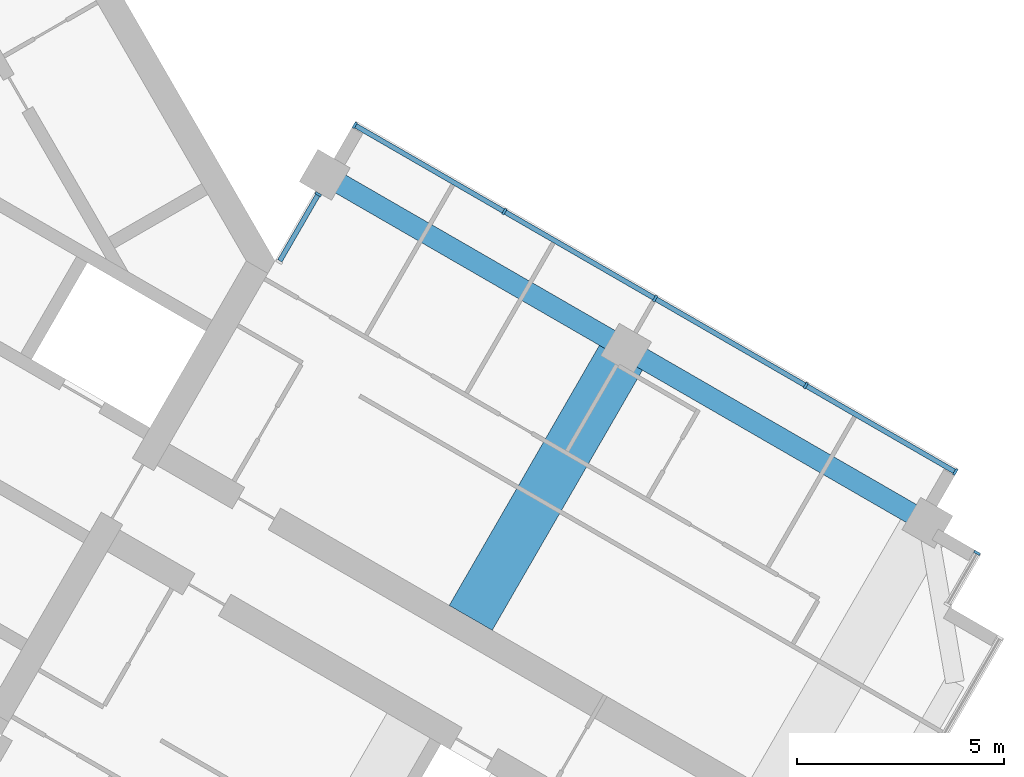
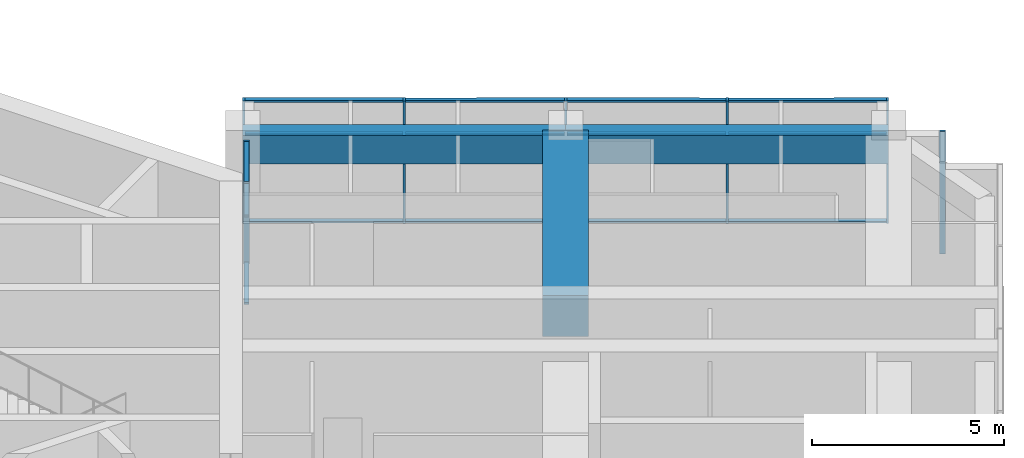
# One storey, part 5 of 14: 22 members, 3 beams, 3 elements without a shape of their own.
"""IFC4 building model written with IfcOpenShell, lengths in metres."""

from ifc_helpers import new_model, si_unit, direction, frame, origin, origin_2d, place, context, subcontext, project, spatial, rectangle, extrude, material, material_profile, profile_set, type_object, element, aggregate, save


model = new_model("IFC4")

# Units and contexts
model_context = context("Model", 3, precision=1e-05, world=origin(), true_north=direction((0.0, 1.0)))
body_context = subcontext(model_context, "Body", "Model", "MODEL_VIEW")
ifc_project = project(units=[si_unit("LENGTHUNIT", "METRE"), si_unit("AREAUNIT", "SQUARE_METRE"), si_unit("VOLUMEUNIT", "CUBIC_METRE"), si_unit("PLANEANGLEUNIT", "RADIAN"), si_unit("MASSUNIT", "GRAM", prefix="KILO")], contexts=[model_context])

# Site, building, storey
site_placement = place(None, origin())
site = spatial("IfcSite", under=ifc_project, at=site_placement, CompositionType="ELEMENT")
building_placement = place(site_placement, origin())
building = spatial("IfcBuilding", under=site, at=building_placement, Name="Impinga Residences", CompositionType="ELEMENT")
storey_placement = place(building_placement, frame((0.0, 0.0, 291.550048828125)))
storey = spatial("IfcBuildingStorey", under=building, at=storey_placement, Name="L73", CompositionType="ELEMENT", Elevation=291.550048828125)

# Beam
ifc_material_1 = material(Name="Concrete C60/75", Category="concrete")
ifc_material_profile_1 = material_profile(ifc_material_1, rectangle(XDim=1.199951171875, YDim=1.300048828125, at=origin_2d()), Name="RC 1200x1300")
ifc_profile_set_1 = profile_set([ifc_material_profile_1], Name="Concrete C60/75")
beam_type_1 = type_object("IfcBeamType", Name="CG2 1200x1300 cross girder on a wing bay line", PredefinedType="BEAM", material=ifc_profile_set_1)
beam_placement = place(storey_placement, frame((17.924560546875, -8.61669921875, 3.25), z_axis=(0.500004234368, 0.866022959057, 0.0), x_axis=(-0.866022959057, 0.500004234368, 0.0)))
element("IfcBeam", 1, at=beam_placement, inside=storey, type_object=beam_type_1, Name="Beam CG2 E2 EC/EA level L74", PredefinedType="BEAM", context=body_context, shape_type="SweptSolid", body=[
    extrude(rectangle(XDim=1.199951171875, YDim=1.300048828125, at=origin_2d()), origin(), (0.0, 0.0, 1.0), 7.5),
])

# Curtain wall, member
ifc_material_2 = material(Name="Aluminium stick curtain wall", Category="aluminium")
curtain_wall_type = type_object("IfcCurtainWallType", Name="CW3 penthouse curtain wall", PredefinedType="USERDEFINED", material=ifc_material_2)
curtain_wall_1_placement = place(storey_placement, origin())
curtain_wall_1 = element("IfcCurtainWall", 2, at=curtain_wall_1_placement, inside=storey, type_object=curtain_wall_type, Name="Curtain wall CW3 L73", ObjectType="STICK CURTAIN WALL", PredefinedType="USERDEFINED")
ifc_material_3 = material(Name="Aluminium mullion", Category="aluminium")
ifc_material_profile_2 = material_profile(ifc_material_3, rectangle(XDim=0.06005859375, YDim=0.159912109375, at=origin_2d()), Name="60x160 mullion")
ifc_profile_set_2 = profile_set([ifc_material_profile_2], Name="Aluminium mullion")
member_type_1 = type_object("IfcMemberType", Name="CW3-M mullion 60x160", PredefinedType="MULLION", material=ifc_profile_set_2)
member_1_placement = place(storey_placement, frame((30.146728515625, -7.047607421875, 0.0), z_axis=(0.0, 0.0, 1.0), x_axis=(-0.500000030502, -0.866025386174, 0.0)))
member_1 = element("IfcMember", 3, at=member_1_placement, type_object=member_type_1, Name="CW3 mullion 1", PredefinedType="MULLION", context=body_context, shape_type="SweptSolid", body=[
    extrude(rectangle(XDim=0.06005859375, YDim=0.159912109375, at=origin_2d()), origin(), (0.0, 0.0, 1.0), 3.89990234375),
])
aggregate(curtain_wall_1, [member_1])

curtain_wall_2_placement = place(storey_placement, origin())
curtain_wall_2 = element("IfcCurtainWall", 4, at=curtain_wall_2_placement, inside=storey, type_object=curtain_wall_type, Name="Curtain wall CW3 L73", ObjectType="STICK CURTAIN WALL", PredefinedType="USERDEFINED")
member_2_placement = place(storey_placement, frame((14.2451171875, 1.610107421875, 0.0), z_axis=(0.0, 0.0, 1.0), x_axis=(0.50000010257, 0.866025344565, 0.0)))
member_2 = element("IfcMember", 5, at=member_2_placement, type_object=member_type_1, Name="CW3 mullion 2", PredefinedType="MULLION", context=body_context, shape_type="SweptSolid", body=[
    extrude(rectangle(XDim=0.06005859375, YDim=0.159912109375, at=origin_2d()), origin(), (0.0, 0.0, 1.0), 3.89990234375),
])

# Curtain wall, members
curtain_wall_3_placement = place(storey_placement, origin())
curtain_wall_3 = element("IfcCurtainWall", 6, at=curtain_wall_3_placement, inside=storey, type_object=curtain_wall_type, Name="Curtain wall CW3 L73", ObjectType="STICK CURTAIN WALL", PredefinedType="USERDEFINED")
member_3_placement = place(storey_placement, frame((15.1259765625, 3.27587890625, 0.0), z_axis=(0.0, 0.0, 1.0), x_axis=(0.866025407005, -0.499999994423, 0.0)))
member_3 = element("IfcMember", 7, at=member_3_placement, type_object=member_type_1, Name="CW3 mullion 1", PredefinedType="MULLION", context=body_context, shape_type="SweptSolid", body=[
    extrude(rectangle(XDim=0.06005859375, YDim=0.159912109375, at=origin_2d()), origin(), (0.0, 0.0, 1.0), 3.89990234375),
])
member_4_placement = place(storey_placement, frame((18.7373046875, 1.19091796875, 0.0), z_axis=(0.0, 0.0, 1.0), x_axis=(0.866025407005, -0.499999994423, 0.0)))
member_4 = element("IfcMember", 8, at=member_4_placement, type_object=member_type_1, Name="CW3 mullion 2", PredefinedType="MULLION", context=body_context, shape_type="SweptSolid", body=[
    extrude(rectangle(XDim=0.06005859375, YDim=0.159912109375, at=origin_2d()), origin(), (0.0, 0.0, 1.0), 3.89990234375),
])
member_5_placement = place(storey_placement, frame((22.37451171875, -0.9091796875, 0.0), z_axis=(0.0, 0.0, 1.0), x_axis=(0.866025407005, -0.499999994423, 0.0)))
member_5 = element("IfcMember", 9, at=member_5_placement, type_object=member_type_1, Name="CW3 mullion 3", PredefinedType="MULLION", context=body_context, shape_type="SweptSolid", body=[
    extrude(rectangle(XDim=0.06005859375, YDim=0.159912109375, at=origin_2d()), origin(), (0.0, 0.0, 1.0), 3.89990234375),
])
member_6_placement = place(storey_placement, frame((26.011962890625, -3.009033203125, 0.0), z_axis=(0.0, 0.0, 1.0), x_axis=(0.866025407005, -0.499999994423, 0.0)))
member_6 = element("IfcMember", 10, at=member_6_placement, type_object=member_type_1, Name="CW3 mullion 4", PredefinedType="MULLION", context=body_context, shape_type="SweptSolid", body=[
    extrude(rectangle(XDim=0.06005859375, YDim=0.159912109375, at=origin_2d()), origin(), (0.0, 0.0, 1.0), 3.89990234375),
])
member_7_placement = place(storey_placement, frame((29.623291015625, -5.093994140625, 0.0), z_axis=(0.0, 0.0, 1.0), x_axis=(0.866025407005, -0.499999994423, 0.0)))
member_7 = element("IfcMember", 11, at=member_7_placement, type_object=member_type_1, Name="CW3 mullion 5", PredefinedType="MULLION", context=body_context, shape_type="SweptSolid", body=[
    extrude(rectangle(XDim=0.06005859375, YDim=0.159912109375, at=origin_2d()), origin(), (0.0, 0.0, 1.0), 3.89990234375),
])

# Member
ifc_material_4 = material(Name="Aluminium transom", Category="aluminium")
ifc_material_profile_3 = material_profile(ifc_material_4, rectangle(XDim=0.06005859375, YDim=0.1201171875, at=origin_2d()), Name="60x120 transom")
ifc_profile_set_3 = profile_set([ifc_material_profile_3], Name="Aluminium transom")
member_type_2 = type_object("IfcMemberType", Name="CW3-T transom 60x120", PredefinedType="USERDEFINED", material=ifc_profile_set_3)
member_8_placement = place(storey_placement, frame((13.316650390625, 0.001953125, 0.030029296875), z_axis=(0.500019332402, 0.866014241929, 0.0), x_axis=(0.0, 0.0, 1.0)))
member_8 = element("IfcMember", 12, at=member_8_placement, type_object=member_type_2, Name="CW3 transom 1.1", ObjectType="TRANSOM", PredefinedType="USERDEFINED", context=body_context, shape_type="SweptSolid", body=[
    extrude(rectangle(XDim=0.06005859375, YDim=0.1201171875, at=origin_2d()), origin(), (0.0, 0.0, 1.0), 1.8271484375),
])

member_9_placement = place(storey_placement, frame((13.316650390625, 0.001953125, 2.800048828125), z_axis=(0.500019332402, 0.866014241929, 0.0), x_axis=(0.0, 0.0, 1.0)))
member_9 = element("IfcMember", 13, at=member_9_placement, type_object=member_type_2, Name="CW3 transom 1.2", ObjectType="TRANSOM", PredefinedType="USERDEFINED", context=body_context, shape_type="SweptSolid", body=[
    extrude(rectangle(XDim=0.06005859375, YDim=0.1201171875, at=origin_2d()), origin(), (0.0, 0.0, 1.0), 1.8271484375),
])

member_10_placement = place(storey_placement, frame((13.316650390625, 0.001953125, 3.869873046875), z_axis=(0.500019332402, 0.866014241929, 0.0), x_axis=(0.0, 0.0, 1.0)))
member_10 = element("IfcMember", 14, at=member_10_placement, type_object=member_type_2, Name="CW3 transom 1.3", ObjectType="TRANSOM", PredefinedType="USERDEFINED", context=body_context, shape_type="SweptSolid", body=[
    extrude(rectangle(XDim=0.06005859375, YDim=0.1201171875, at=origin_2d()), origin(), (0.0, 0.0, 1.0), 1.8271484375),
])

aggregate(curtain_wall_2, [member_2, member_8, member_9, member_10])

member_11_placement = place(storey_placement, frame((15.15185546875, 3.260986328125, 0.030029296875), z_axis=(0.866019409031, -0.500010383074, 0.0), x_axis=(0.0, 0.0, 1.0)))
member_11 = element("IfcMember", 15, at=member_11_placement, type_object=member_type_2, Name="CW3 transom 1.1", ObjectType="TRANSOM", PredefinedType="USERDEFINED", context=body_context, shape_type="SweptSolid", body=[
    extrude(rectangle(XDim=0.06005859375, YDim=0.1201171875, at=origin_2d()), origin(), (0.0, 0.0, 1.0), 4.1103515625),
])

member_12_placement = place(storey_placement, frame((15.15185546875, 3.260986328125, 2.800048828125), z_axis=(0.866019409031, -0.500010383074, 0.0), x_axis=(0.0, 0.0, 1.0)))
member_12 = element("IfcMember", 16, at=member_12_placement, type_object=member_type_2, Name="CW3 transom 1.2", ObjectType="TRANSOM", PredefinedType="USERDEFINED", context=body_context, shape_type="SweptSolid", body=[
    extrude(rectangle(XDim=0.06005859375, YDim=0.1201171875, at=origin_2d()), origin(), (0.0, 0.0, 1.0), 4.1103515625),
])

member_13_placement = place(storey_placement, frame((15.15185546875, 3.260986328125, 3.869873046875), z_axis=(0.866019409031, -0.500010383074, 0.0), x_axis=(0.0, 0.0, 1.0)))
member_13 = element("IfcMember", 17, at=member_13_placement, type_object=member_type_2, Name="CW3 transom 1.3", ObjectType="TRANSOM", PredefinedType="USERDEFINED", context=body_context, shape_type="SweptSolid", body=[
    extrude(rectangle(XDim=0.06005859375, YDim=0.1201171875, at=origin_2d()), origin(), (0.0, 0.0, 1.0), 4.1103515625),
])

member_14_placement = place(storey_placement, frame((18.76318359375, 1.17578125, 0.030029296875), z_axis=(0.866050071143, -0.499957272447, 0.0), x_axis=(0.0, 0.0, 1.0)))
member_14 = element("IfcMember", 18, at=member_14_placement, type_object=member_type_2, Name="CW3 transom 2.1", ObjectType="TRANSOM", PredefinedType="USERDEFINED", context=body_context, shape_type="SweptSolid", body=[
    extrude(rectangle(XDim=0.06005859375, YDim=0.1201171875, at=origin_2d()), origin(), (0.0, 0.0, 1.0), 4.139892578125),
])

member_15_placement = place(storey_placement, frame((18.76318359375, 1.17578125, 2.800048828125), z_axis=(0.866050071143, -0.499957272447, 0.0), x_axis=(0.0, 0.0, 1.0)))
member_15 = element("IfcMember", 19, at=member_15_placement, type_object=member_type_2, Name="CW3 transom 2.2", ObjectType="TRANSOM", PredefinedType="USERDEFINED", context=body_context, shape_type="SweptSolid", body=[
    extrude(rectangle(XDim=0.06005859375, YDim=0.1201171875, at=origin_2d()), origin(), (0.0, 0.0, 1.0), 4.139892578125),
])

member_16_placement = place(storey_placement, frame((18.76318359375, 1.17578125, 3.869873046875), z_axis=(0.866050071143, -0.499957272447, 0.0), x_axis=(0.0, 0.0, 1.0)))
member_16 = element("IfcMember", 20, at=member_16_placement, type_object=member_type_2, Name="CW3 transom 2.3", ObjectType="TRANSOM", PredefinedType="USERDEFINED", context=body_context, shape_type="SweptSolid", body=[
    extrude(rectangle(XDim=0.06005859375, YDim=0.1201171875, at=origin_2d()), origin(), (0.0, 0.0, 1.0), 4.139892578125),
])

member_17_placement = place(storey_placement, frame((22.400634765625, -0.924072265625, 0.030029296875), z_axis=(0.866009793405, -0.500027036996, 0.0), x_axis=(0.0, 0.0, 1.0)))
member_17 = element("IfcMember", 21, at=member_17_placement, type_object=member_type_2, Name="CW3 transom 3.1", ObjectType="TRANSOM", PredefinedType="USERDEFINED", context=body_context, shape_type="SweptSolid", body=[
    extrude(rectangle(XDim=0.06005859375, YDim=0.1201171875, at=origin_2d()), origin(), (0.0, 0.0, 1.0), 4.139892578125),
])

member_18_placement = place(storey_placement, frame((22.400634765625, -0.924072265625, 2.800048828125), z_axis=(0.866009793405, -0.500027036996, 0.0), x_axis=(0.0, 0.0, 1.0)))
member_18 = element("IfcMember", 22, at=member_18_placement, type_object=member_type_2, Name="CW3 transom 3.2", ObjectType="TRANSOM", PredefinedType="USERDEFINED", context=body_context, shape_type="SweptSolid", body=[
    extrude(rectangle(XDim=0.06005859375, YDim=0.1201171875, at=origin_2d()), origin(), (0.0, 0.0, 1.0), 4.139892578125),
])

member_19_placement = place(storey_placement, frame((22.400634765625, -0.924072265625, 3.869873046875), z_axis=(0.866009793405, -0.500027036996, 0.0), x_axis=(0.0, 0.0, 1.0)))
member_19 = element("IfcMember", 23, at=member_19_placement, type_object=member_type_2, Name="CW3 transom 3.3", ObjectType="TRANSOM", PredefinedType="USERDEFINED", context=body_context, shape_type="SweptSolid", body=[
    extrude(rectangle(XDim=0.06005859375, YDim=0.1201171875, at=origin_2d()), origin(), (0.0, 0.0, 1.0), 4.139892578125),
])

member_20_placement = place(storey_placement, frame((26.037841796875, -3.024169921875, 0.030029296875), z_axis=(0.866030279993, -0.499991554064, 0.0), x_axis=(0.0, 0.0, 1.0)))
member_20 = element("IfcMember", 24, at=member_20_placement, type_object=member_type_2, Name="CW3 transom 4.1", ObjectType="TRANSOM", PredefinedType="USERDEFINED", context=body_context, shape_type="SweptSolid", body=[
    extrude(rectangle(XDim=0.06005859375, YDim=0.1201171875, at=origin_2d()), origin(), (0.0, 0.0, 1.0), 4.10986328125),
])

member_21_placement = place(storey_placement, frame((26.037841796875, -3.024169921875, 2.800048828125), z_axis=(0.866030279993, -0.499991554064, 0.0), x_axis=(0.0, 0.0, 1.0)))
member_21 = element("IfcMember", 25, at=member_21_placement, type_object=member_type_2, Name="CW3 transom 4.2", ObjectType="TRANSOM", PredefinedType="USERDEFINED", context=body_context, shape_type="SweptSolid", body=[
    extrude(rectangle(XDim=0.06005859375, YDim=0.1201171875, at=origin_2d()), origin(), (0.0, 0.0, 1.0), 4.10986328125),
])

member_22_placement = place(storey_placement, frame((26.037841796875, -3.024169921875, 3.869873046875), z_axis=(0.866030279993, -0.499991554064, 0.0), x_axis=(0.0, 0.0, 1.0)))
member_22 = element("IfcMember", 26, at=member_22_placement, type_object=member_type_2, Name="CW3 transom 4.3", ObjectType="TRANSOM", PredefinedType="USERDEFINED", context=body_context, shape_type="SweptSolid", body=[
    extrude(rectangle(XDim=0.06005859375, YDim=0.1201171875, at=origin_2d()), origin(), (0.0, 0.0, 1.0), 4.10986328125),
])

aggregate(curtain_wall_3, [member_3, member_4, member_5, member_6, member_7, member_11, member_12, member_13, member_14, member_15, member_16, member_17, member_18, member_19, member_20, member_21, member_22])

# Beams
ifc_material_profile_4 = material_profile(ifc_material_1, rectangle(XDim=0.5, YDim=0.89990234375, at=origin_2d()), Name="RC 500x900")
ifc_profile_set_4 = profile_set([ifc_material_profile_4], Name="Concrete C60/75")
beam_type_2 = type_object("IfcBeamType", Name="SB1 500x900 perimeter spandrel beam", PredefinedType="SPANDREL", material=ifc_profile_set_4)
for number, where, z_axis, x_axis, name in (
    (27, (14.39990234375, 2.078369140625, 3.449951171875), (0.86602925447, -0.499993330357, 0.0), (0.499993330357, 0.86602925447, 0.0), "Beam SB1 EA E1-E2 level L74"),
    (28, (21.674560546875, -2.12158203125, 3.449951171875), (0.86602925447, -0.499993330357, 0.0), (0.499993330357, 0.86602925447, 0.0), "Beam SB1 EA E2-E3 level L74"),
):
    element("IfcBeam", number, at=place(storey_placement, frame(where, z_axis=z_axis, x_axis=x_axis)), inside=storey, type_object=beam_type_2, Name=name, PredefinedType="SPANDREL", context=body_context, shape_type="SweptSolid", body=[
        extrude(rectangle(XDim=0.5, YDim=0.89990234375, at=origin_2d()), origin(), (0.0, 0.0, 1.0), 8.39990234375),
    ])

save(model, "model.ifc")
